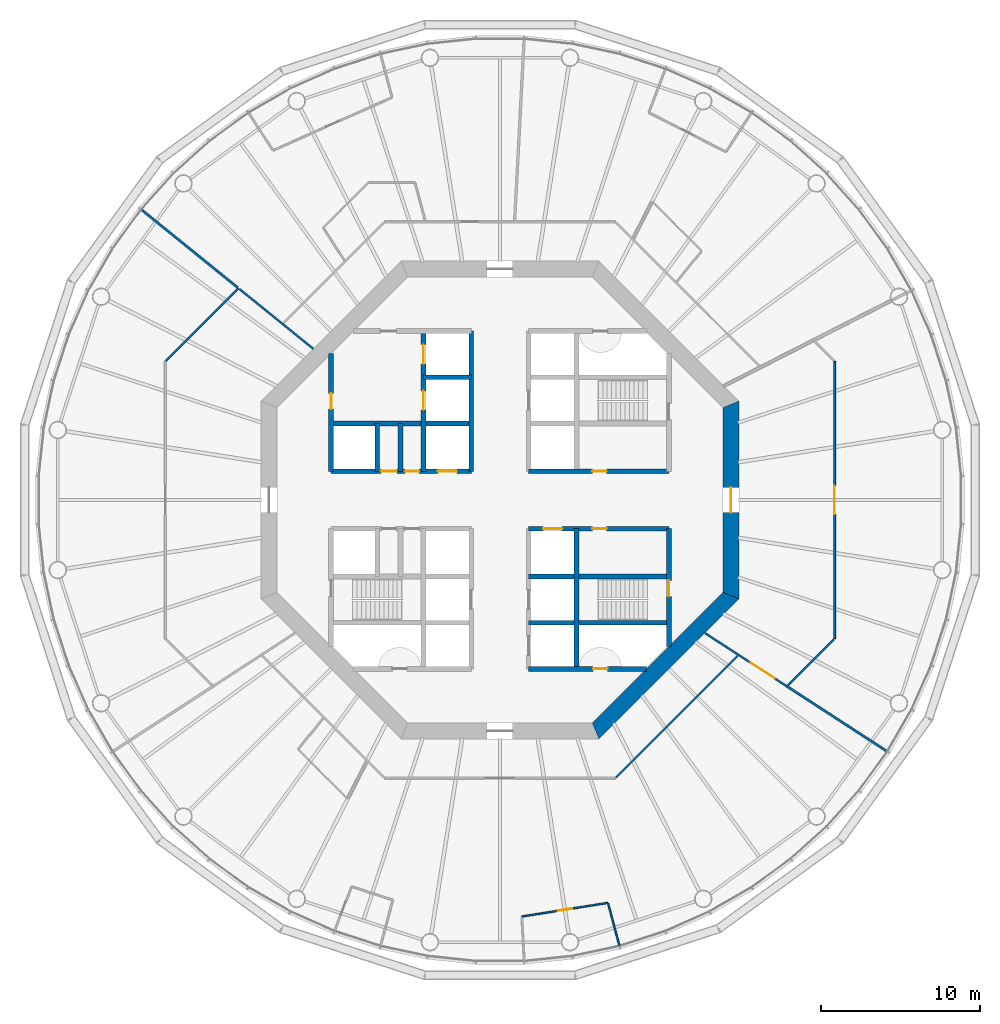
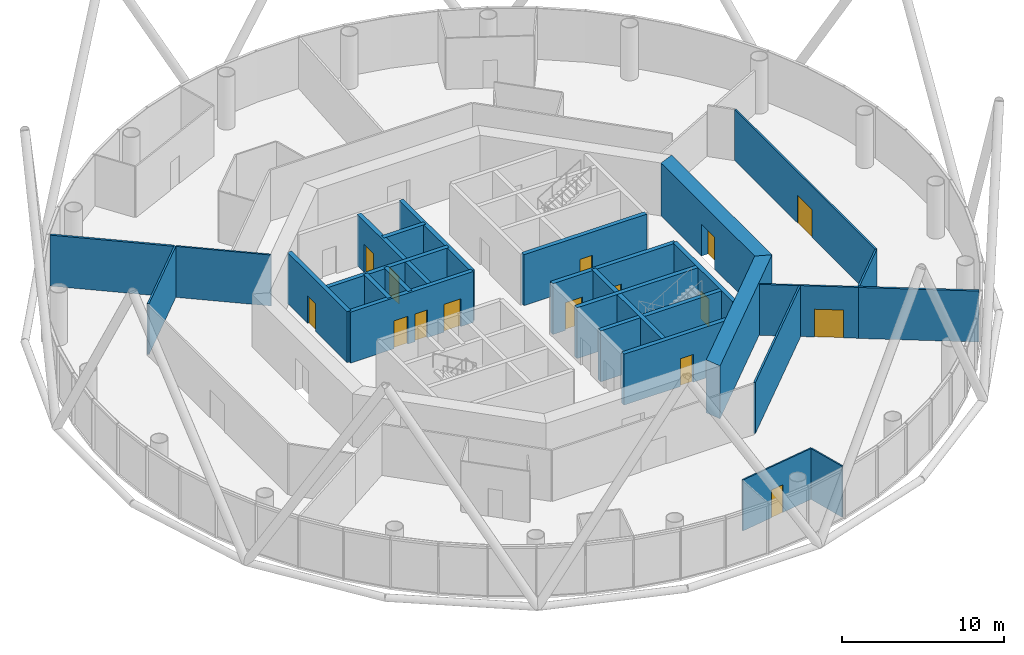
# One storey, part 4 of 13: 27 walls, 15 doors, 15 openings.
"""IFC4 building model written with IfcOpenShell, lengths in metres."""

from ifc_helpers import new_model, si_unit, direction, frame, frame_2d, origin, place, context, subcontext, project, spatial, polyline, rectangle, outline, extrude, material, layer, layer_set, type_object, element, fill, save


model = new_model("IFC4")

# Units and contexts
model_context = context("Model", 3, precision=1e-05, world=origin(), true_north=direction((0.0, 1.0)))
body_context = subcontext(model_context, "Body", "Model", "MODEL_VIEW")
ifc_project = project(units=[si_unit("LENGTHUNIT", "METRE"), si_unit("AREAUNIT", "SQUARE_METRE"), si_unit("VOLUMEUNIT", "CUBIC_METRE"), si_unit("PLANEANGLEUNIT", "RADIAN"), si_unit("MASSUNIT", "GRAM", prefix="KILO")], contexts=[model_context])

# Site, building, storey
site_placement = place(None, origin())
site = spatial("IfcSite", under=ifc_project, at=site_placement, CompositionType="ELEMENT")
building_placement = place(site_placement, origin())
building = spatial("IfcBuilding", under=site, at=building_placement, Name="Entoto Ring Tower", CompositionType="ELEMENT")
storey_placement = place(building_placement, frame((0.0, 0.0, 164.0)))
storey = spatial("IfcBuildingStorey", under=building, at=storey_placement, Name="L37", CompositionType="ELEMENT", Elevation=164.0)

# Wall, opening, door
ifc_material_1 = material(Name="Concrete C40/50", Category="concrete")
ifc_layer_1 = layer(ifc_material_1, 0.300048828125)
ifc_layer_set_1 = layer_set([ifc_layer_1], Name="Concrete C40/50")
wall_type_1 = type_object("IfcWallType", Name="Core enclosure wall 300 mm reinforced concrete", PredefinedType="SOLIDWALL", material=ifc_layer_set_1)
wall_1_placement = place(storey_placement, frame((100.60009765625, 70.801025390625, 0.0), z_axis=(0.0, 0.0, 1.0), x_axis=(0.0, 1.0, 0.0)))
wall_1 = element("IfcWall", 1, at=wall_1_placement, inside=storey, type_object=wall_type_1, Name="wall-L37-001", PredefinedType="SOLIDWALL", context=body_context, shape_type="SweptSolid", body=[
    extrude(rectangle(XDim=7.39892578125, YDim=0.300048828125, at=frame_2d((3.699462890625, 0.0))), origin(), (0.0, 0.0, 1.0), 3.85009765625),
])
opening_1_placement = place(wall_1_placement, frame((3.14892578125, 0.0, 0.0)))
opening_1 = element("IfcOpeningElement", 2, at=opening_1_placement, cuts=wall_1, Name="Opening K-61", PredefinedType="OPENING", context=body_context, shape_type="SweptSolid", body=[
    extrude(rectangle(XDim=1.0, YDim=2.10009765625, at=frame_2d((0.5, 1.050048828125))), frame((0.0, 0.16015625, 0.0), z_axis=(0.0, -1.0, 0.0), x_axis=(1.0, 0.0, 0.0)), (0.0, 0.0, 1.0), 0.320068359375),
])
ifc_material_2 = material(Name="Steel door leaf, fire rated", Category="steel")
ifc_layer_2 = layer(ifc_material_2, 0.050048828125)
ifc_layer_set_2 = layer_set([ifc_layer_2], Name="Steel door leaf, fire rated")
door_type_1 = type_object("IfcDoorType", Name="Fire door FD60 1000 x 2100 single leaf", OperationType="NOTDEFINED", PredefinedType="DOOR", material=ifc_layer_set_2)
door_1_placement = place(opening_1_placement, origin())
door_1 = element("IfcDoor", 3, at=door_1_placement, inside=storey, type_object=door_type_1, Name="Door K-61", OperationType="SINGLE_SWING_RIGHT", OverallHeight=2.10009765625, OverallWidth=1.0, PredefinedType="DOOR", context=body_context, shape_type="SweptSolid", body=[
    extrude(rectangle(XDim=1.0, YDim=2.10009765625, at=frame_2d((0.5, 1.050048828125))), frame((0.0, 0.02490234375, 0.0), z_axis=(0.0, -1.0, 0.0), x_axis=(1.0, 0.0, 0.0)), (0.0, 0.0, 1.0), 0.050048828125),
])
fill(opening_1, door_1)

# Walls
for number, where, z_axis, x_axis, name in (
    (4, (94.800048828125, 69.39990234375, 0.0), (0.0, 0.0, 1.0), (0.0, 1.0, 0.0), "wall-L37-003"),
    (5, (88.199951171875, 81.800048828125, 0.0), (0.0, 0.0, 1.0), (0.0, 1.0, 0.0), "wall-L37-008"),
):
    element("IfcWall", number, at=place(storey_placement, frame(where, z_axis=z_axis, x_axis=x_axis)), inside=storey, type_object=wall_type_1, Name=name, PredefinedType="SOLIDWALL", context=body_context, shape_type="SweptSolid", body=[
        extrude(rectangle(XDim=8.800048828125, YDim=0.300048828125, at=frame_2d((4.39990234375, 0.0))), origin(), (0.0, 0.0, 1.0), 3.85009765625),
    ])

# Wall, openings, doors
wall_2_placement = place(storey_placement, frame((85.199951171875, 81.800048828125, 0.0), z_axis=(0.0, 0.0, 1.0), x_axis=(0.0, 1.0, 0.0)))
wall_2 = element("IfcWall", 6, at=wall_2_placement, inside=storey, type_object=wall_type_1, Name="wall-L37-010", PredefinedType="SOLIDWALL", context=body_context, shape_type="SweptSolid", body=[
    extrude(rectangle(XDim=8.800048828125, YDim=0.300048828125, at=frame_2d((4.39990234375, 0.0))), origin(), (0.0, 0.0, 1.0), 3.85009765625),
])
opening_2_placement = place(wall_2_placement, frame((3.85009765625, 0.0, 0.0)))
opening_2 = element("IfcOpeningElement", 7, at=opening_2_placement, cuts=wall_2, Name="Opening LD", PredefinedType="OPENING", context=body_context, shape_type="SweptSolid", body=[
    extrude(rectangle(XDim=1.199951171875, YDim=2.10009765625, at=frame_2d((0.60009765625, 1.050048828125))), frame((0.0, 0.16015625, 0.0), z_axis=(0.0, -1.0, 0.0), x_axis=(1.0, 0.0, 0.0)), (0.0, 0.0, 1.0), 0.320068359375),
])
opening_3_placement = place(wall_2_placement, frame((6.75, 0.0, 0.0)))
opening_3 = element("IfcOpeningElement", 8, at=opening_3_placement, cuts=wall_2, Name="Opening LD", PredefinedType="OPENING", context=body_context, shape_type="SweptSolid", body=[
    extrude(rectangle(XDim=1.199951171875, YDim=2.10009765625, at=frame_2d((0.60009765625, 1.050048828125))), frame((0.0, 0.16015625, 0.0), z_axis=(0.0, -1.0, 0.0), x_axis=(1.0, 0.0, 0.0)), (0.0, 0.0, 1.0), 0.320068359375),
])
ifc_material_3 = material(Name="Steel and glass door leaf", Category="steel")
ifc_layer_3 = layer(ifc_material_3, 0.050048828125)
ifc_layer_set_3 = layer_set([ifc_layer_3], Name="Steel and glass door leaf")
door_type_2 = type_object("IfcDoorType", Name="Landing door 1200 x 2100 sliding", OperationType="DOUBLE_DOOR_SLIDING", PredefinedType="DOOR", material=ifc_layer_set_3)
door_2_placement = place(opening_2_placement, origin())
door_2 = element("IfcDoor", 9, at=door_2_placement, inside=storey, type_object=door_type_2, Name="Landing door FF1", OperationType="SLIDING_TO_RIGHT", OverallHeight=2.10009765625, OverallWidth=1.199951171875, PredefinedType="DOOR", context=body_context, shape_type="SweptSolid", body=[
    extrude(rectangle(XDim=1.199951171875, YDim=2.10009765625, at=frame_2d((0.60009765625, 1.050048828125))), frame((0.0, 0.02490234375, 0.0), z_axis=(0.0, -1.0, 0.0), x_axis=(1.0, 0.0, 0.0)), (0.0, 0.0, 1.0), 0.050048828125),
])
fill(opening_2, door_2)
door_3_placement = place(opening_3_placement, origin())
door_3 = element("IfcDoor", 10, at=door_3_placement, inside=storey, type_object=door_type_2, Name="Landing door FF2", OperationType="SLIDING_TO_RIGHT", OverallHeight=2.10009765625, OverallWidth=1.199951171875, PredefinedType="DOOR", context=body_context, shape_type="SweptSolid", body=[
    extrude(rectangle(XDim=1.199951171875, YDim=2.10009765625, at=frame_2d((0.60009765625, 1.050048828125))), frame((0.0, 0.02490234375, 0.0), z_axis=(0.0, -1.0, 0.0), x_axis=(1.0, 0.0, 0.0)), (0.0, 0.0, 1.0), 0.050048828125),
])
fill(opening_3, door_3)

# Walls
for number, where, z_axis, x_axis, name in (
    (11, (83.75, 81.800048828125, 0.0), (0.0, 0.0, 1.0), (0.0, 1.0, 0.0), "wall-L37-012"),
    (12, (82.300048828125, 81.800048828125, 0.0), (0.0, 0.0, 1.0), (0.0, 1.0, 0.0), "wall-L37-014"),
):
    element("IfcWall", number, at=place(storey_placement, frame(where, z_axis=z_axis, x_axis=x_axis)), inside=storey, type_object=wall_type_1, Name=name, PredefinedType="SOLIDWALL", context=body_context, shape_type="SweptSolid", body=[
        extrude(rectangle(XDim=3.0, YDim=0.300048828125, at=frame_2d((1.5, 0.0))), origin(), (0.0, 0.0, 1.0), 3.85009765625),
    ])

# Wall, opening, door
wall_3_placement = place(storey_placement, frame((79.39990234375, 81.800048828125, 0.0), z_axis=(0.0, 0.0, 1.0), x_axis=(0.0, 1.0, 0.0)))
wall_3 = element("IfcWall", 13, at=wall_3_placement, inside=storey, type_object=wall_type_1, Name="wall-L37-016", PredefinedType="SOLIDWALL", context=body_context, shape_type="SweptSolid", body=[
    extrude(rectangle(XDim=7.39892578125, YDim=0.300048828125, at=frame_2d((3.699462890625, 0.0))), origin(), (0.0, 0.0, 1.0), 3.85009765625),
])
opening_4_placement = place(wall_3_placement, frame((3.89990234375, 0.0, 0.0)))
opening_4 = element("IfcOpeningElement", 14, at=opening_4_placement, cuts=wall_3, Name="Opening K-23", PredefinedType="OPENING", context=body_context, shape_type="SweptSolid", body=[
    extrude(rectangle(XDim=1.0, YDim=2.10009765625, at=frame_2d((0.5, 1.050048828125))), frame((0.0, 0.16015625, 0.0), z_axis=(0.0, -1.0, 0.0), x_axis=(1.0, 0.0, 0.0)), (0.0, 0.0, 1.0), 0.320068359375),
])
door_4_placement = place(opening_4_placement, frame((1.0, 0.0, 0.0), z_axis=(0.0, 0.0, 1.0), x_axis=(-1.0, 0.0, 0.0)))
door_4 = element("IfcDoor", 15, at=door_4_placement, inside=storey, type_object=door_type_1, Name="Door K-23", OperationType="SINGLE_SWING_RIGHT", OverallHeight=2.10009765625, OverallWidth=1.0, PredefinedType="DOOR", context=body_context, shape_type="SweptSolid", body=[
    extrude(rectangle(XDim=1.0, YDim=2.10009765625, at=frame_2d((0.5, 1.050048828125))), frame((0.0, 0.02490234375, 0.0), z_axis=(0.0, -1.0, 0.0), x_axis=(1.0, 0.0, 0.0)), (0.0, 0.0, 1.0), 0.050048828125),
])
fill(opening_4, door_4)

wall_4_placement = place(storey_placement, frame((91.800048828125, 69.39990234375, 0.0), z_axis=(0.0, 0.0, 1.0), x_axis=(1.0, 0.0, 0.0)))
wall_4 = element("IfcWall", 16, at=wall_4_placement, inside=storey, type_object=wall_type_1, Name="wall-L37-018", PredefinedType="SOLIDWALL", context=body_context, shape_type="SweptSolid", body=[
    extrude(rectangle(XDim=7.39892578125, YDim=0.300048828125, at=frame_2d((3.699462890625, 0.0))), origin(), (0.0, 0.0, 1.0), 3.85009765625),
])
opening_5_placement = place(wall_4_placement, frame((4.050048828125, 0.0, 0.0)))
opening_5 = element("IfcOpeningElement", 17, at=opening_5_placement, cuts=wall_4, Name="Opening K-68", PredefinedType="OPENING", context=body_context, shape_type="SweptSolid", body=[
    extrude(rectangle(XDim=0.89990234375, YDim=2.10009765625, at=frame_2d((0.449951171875, 1.050048828125))), frame((0.0, 0.16015625, 0.0), z_axis=(0.0, -1.0, 0.0), x_axis=(1.0, 0.0, 0.0)), (0.0, 0.0, 1.0), 0.320068359375),
])
ifc_material_4 = material(Name="Steel door leaf, fire rated", Category="steel")
ifc_layer_4 = layer(ifc_material_4, 0.050048828125)
ifc_layer_set_4 = layer_set([ifc_layer_4], Name="Steel door leaf, fire rated")
door_type_3 = type_object("IfcDoorType", Name="Riser door FD60 900 x 2100 single leaf", OperationType="NOTDEFINED", PredefinedType="DOOR", material=ifc_layer_set_4)
door_5_placement = place(opening_5_placement, origin())
door_5 = element("IfcDoor", 18, at=door_5_placement, inside=storey, type_object=door_type_3, Name="Door K-68", OperationType="SINGLE_SWING_LEFT", OverallHeight=2.10009765625, OverallWidth=0.89990234375, PredefinedType="DOOR", context=body_context, shape_type="SweptSolid", body=[
    extrude(rectangle(XDim=0.89990234375, YDim=2.10009765625, at=frame_2d((0.449951171875, 1.050048828125))), frame((0.0, 0.02490234375, 0.0), z_axis=(0.0, -1.0, 0.0), x_axis=(1.0, 0.0, 0.0)), (0.0, 0.0, 1.0), 0.050048828125),
])
fill(opening_5, door_5)

# Walls
for number, where, z_axis, x_axis, name in (
    (19, (91.800048828125, 72.300048828125, 0.0), (0.0, 0.0, 1.0), (1.0, 0.0, 0.0), "wall-L37-020"),
    (20, (91.800048828125, 75.199951171875, 0.0), (0.0, 0.0, 1.0), (1.0, 0.0, 0.0), "wall-L37-022"),
):
    element("IfcWall", number, at=place(storey_placement, frame(where, z_axis=z_axis, x_axis=x_axis)), inside=storey, type_object=wall_type_1, Name=name, PredefinedType="SOLIDWALL", context=body_context, shape_type="SweptSolid", body=[
        extrude(rectangle(XDim=8.800048828125, YDim=0.300048828125, at=frame_2d((4.39990234375, 0.0))), origin(), (0.0, 0.0, 1.0), 3.85009765625),
    ])

# Wall, openings, doors
wall_5_placement = place(storey_placement, frame((91.800048828125, 78.199951171875, 0.0), z_axis=(0.0, 0.0, 1.0), x_axis=(1.0, 0.0, 0.0)))
wall_5 = element("IfcWall", 21, at=wall_5_placement, inside=storey, type_object=wall_type_1, Name="wall-L37-024", PredefinedType="SOLIDWALL", context=body_context, shape_type="SweptSolid", body=[
    extrude(rectangle(XDim=8.800048828125, YDim=0.300048828125, at=frame_2d((4.39990234375, 0.0))), origin(), (0.0, 0.0, 1.0), 3.85009765625),
])
opening_6_placement = place(wall_5_placement, frame((0.89990234375, 0.0, 0.0)))
opening_6 = element("IfcOpeningElement", 22, at=opening_6_placement, cuts=wall_5, Name="Opening LD", PredefinedType="OPENING", context=body_context, shape_type="SweptSolid", body=[
    extrude(rectangle(XDim=1.199951171875, YDim=2.10009765625, at=frame_2d((0.60009765625, 1.050048828125))), frame((0.0, 0.16015625, 0.0), z_axis=(0.0, -1.0, 0.0), x_axis=(1.0, 0.0, 0.0)), (0.0, 0.0, 1.0), 0.320068359375),
])
opening_7_placement = place(wall_5_placement, frame((4.0, 0.0, 0.0)))
opening_7 = element("IfcOpeningElement", 23, at=opening_7_placement, cuts=wall_5, Name="Opening K-12", PredefinedType="OPENING", context=body_context, shape_type="SweptSolid", body=[
    extrude(rectangle(XDim=0.89990234375, YDim=2.10009765625, at=frame_2d((0.449951171875, 1.050048828125))), frame((0.0, 0.16015625, 0.0), z_axis=(0.0, -1.0, 0.0), x_axis=(1.0, 0.0, 0.0)), (0.0, 0.0, 1.0), 0.320068359375),
])
ifc_material_5 = material(Name="Steel door leaf, fire rated", Category="steel")
ifc_layer_5 = layer(ifc_material_5, 0.050048828125)
ifc_layer_set_5 = layer_set([ifc_layer_5], Name="Steel door leaf, fire rated")
door_type_4 = type_object("IfcDoorType", Name="Core door 900 x 2100 single leaf", OperationType="NOTDEFINED", PredefinedType="DOOR", material=ifc_layer_set_5)
door_6_placement = place(opening_7_placement, frame((0.89990234375, 0.0, 0.0), z_axis=(0.0, 0.0, 1.0), x_axis=(-1.0, 0.0, 0.0)))
door_6 = element("IfcDoor", 24, at=door_6_placement, inside=storey, type_object=door_type_4, Name="Door K-12", OperationType="SINGLE_SWING_RIGHT", OverallHeight=2.10009765625, OverallWidth=0.89990234375, PredefinedType="DOOR", context=body_context, shape_type="SweptSolid", body=[
    extrude(rectangle(XDim=0.89990234375, YDim=2.10009765625, at=frame_2d((0.449951171875, 1.050048828125))), frame((0.0, 0.02490234375, 0.0), z_axis=(0.0, -1.0, 0.0), x_axis=(1.0, 0.0, 0.0)), (0.0, 0.0, 1.0), 0.050048828125),
])
fill(opening_7, door_6)
door_7_placement = place(opening_6_placement, origin())
door_7 = element("IfcDoor", 25, at=door_7_placement, inside=storey, type_object=door_type_2, Name="Landing door LB6-MR", OperationType="SLIDING_TO_LEFT", OverallHeight=2.10009765625, OverallWidth=1.199951171875, PredefinedType="DOOR", context=body_context, shape_type="SweptSolid", body=[
    extrude(rectangle(XDim=1.199951171875, YDim=2.10009765625, at=frame_2d((0.60009765625, 1.050048828125))), frame((0.0, 0.02490234375, 0.0), z_axis=(0.0, -1.0, 0.0), x_axis=(1.0, 0.0, 0.0)), (0.0, 0.0, 1.0), 0.050048828125),
])
fill(opening_6, door_7)

wall_6_placement = place(storey_placement, frame((79.39990234375, 81.800048828125, 0.0), z_axis=(0.0, 0.0, 1.0), x_axis=(1.0, 0.0, 0.0)))
wall_6 = element("IfcWall", 26, at=wall_6_placement, inside=storey, type_object=wall_type_1, Name="wall-L37-025", PredefinedType="SOLIDWALL", context=body_context, shape_type="SweptSolid", body=[
    extrude(rectangle(XDim=8.800048828125, YDim=0.300048828125, at=frame_2d((4.39990234375, 0.0))), origin(), (0.0, 0.0, 1.0), 3.85009765625),
])
opening_8_placement = place(wall_6_placement, frame((6.699951171875, 0.0, 0.0)))
opening_8 = element("IfcOpeningElement", 27, at=opening_8_placement, cuts=wall_6, Name="Opening LD", PredefinedType="OPENING", context=body_context, shape_type="SweptSolid", body=[
    extrude(rectangle(XDim=1.199951171875, YDim=2.10009765625, at=frame_2d((0.60009765625, 1.050048828125))), frame((0.0, 0.16015625, 0.0), z_axis=(0.0, -1.0, 0.0), x_axis=(1.0, 0.0, 0.0)), (0.0, 0.0, 1.0), 0.320068359375),
])
opening_9_placement = place(wall_6_placement, frame((3.125, 0.0, 0.0)))
opening_9 = element("IfcOpeningElement", 28, at=opening_9_placement, cuts=wall_6, Name="Opening K-13", PredefinedType="OPENING", context=body_context, shape_type="SweptSolid", body=[
    extrude(rectangle(XDim=1.0, YDim=2.10009765625, at=frame_2d((0.5, 1.050048828125))), frame((0.0, 0.16015625, 0.0), z_axis=(0.0, -1.0, 0.0), x_axis=(1.0, 0.0, 0.0)), (0.0, 0.0, 1.0), 0.320068359375),
])
opening_10_placement = place(wall_6_placement, frame((4.625, 0.0, 0.0)))
opening_10 = element("IfcOpeningElement", 29, at=opening_10_placement, cuts=wall_6, Name="Opening K-14", PredefinedType="OPENING", context=body_context, shape_type="SweptSolid", body=[
    extrude(rectangle(XDim=0.89990234375, YDim=2.10009765625, at=frame_2d((0.449951171875, 1.050048828125))), frame((0.0, 0.16015625, 0.0), z_axis=(0.0, -1.0, 0.0), x_axis=(1.0, 0.0, 0.0)), (0.0, 0.0, 1.0), 0.320068359375),
])
ifc_material_6 = material(Name="Steel door leaf, fire rated", Category="steel")
ifc_layer_6 = layer(ifc_material_6, 0.050048828125)
ifc_layer_set_6 = layer_set([ifc_layer_6], Name="Steel door leaf, fire rated")
door_type_5 = type_object("IfcDoorType", Name="Accessible door 1000 x 2100 single leaf", OperationType="NOTDEFINED", PredefinedType="DOOR", material=ifc_layer_set_6)
door_8_placement = place(opening_9_placement, origin())
door_8 = element("IfcDoor", 30, at=door_8_placement, inside=storey, type_object=door_type_5, Name="Door K-13", OperationType="SINGLE_SWING_RIGHT", OverallHeight=2.10009765625, OverallWidth=1.0, PredefinedType="DOOR", context=body_context, shape_type="SweptSolid", body=[
    extrude(rectangle(XDim=1.0, YDim=2.10009765625, at=frame_2d((0.5, 1.050048828125))), frame((0.0, 0.02490234375, 0.0), z_axis=(0.0, -1.0, 0.0), x_axis=(1.0, 0.0, 0.0)), (0.0, 0.0, 1.0), 0.050048828125),
])
fill(opening_9, door_8)
door_9_placement = place(opening_10_placement, origin())
door_9 = element("IfcDoor", 31, at=door_9_placement, inside=storey, type_object=door_type_4, Name="Door K-14", OperationType="SINGLE_SWING_RIGHT", OverallHeight=2.10009765625, OverallWidth=0.89990234375, PredefinedType="DOOR", context=body_context, shape_type="SweptSolid", body=[
    extrude(rectangle(XDim=0.89990234375, YDim=2.10009765625, at=frame_2d((0.449951171875, 1.050048828125))), frame((0.0, 0.02490234375, 0.0), z_axis=(0.0, -1.0, 0.0), x_axis=(1.0, 0.0, 0.0)), (0.0, 0.0, 1.0), 0.050048828125),
])
fill(opening_10, door_9)
door_10_placement = place(opening_8_placement, origin())
door_10 = element("IfcDoor", 32, at=door_10_placement, inside=storey, type_object=door_type_2, Name="Landing door LB5-MR", OperationType="SLIDING_TO_LEFT", OverallHeight=2.10009765625, OverallWidth=1.199951171875, PredefinedType="DOOR", context=body_context, shape_type="SweptSolid", body=[
    extrude(rectangle(XDim=1.199951171875, YDim=2.10009765625, at=frame_2d((0.60009765625, 1.050048828125))), frame((0.0, 0.02490234375, 0.0), z_axis=(0.0, -1.0, 0.0), x_axis=(1.0, 0.0, 0.0)), (0.0, 0.0, 1.0), 0.050048828125),
])
fill(opening_8, door_10)

# Wall, opening, door
wall_7_placement = place(storey_placement, frame((91.800048828125, 81.800048828125, 0.0), z_axis=(0.0, 0.0, 1.0), x_axis=(1.0, 0.0, 0.0)))
wall_7 = element("IfcWall", 33, at=wall_7_placement, inside=storey, type_object=wall_type_1, Name="wall-L37-026", PredefinedType="SOLIDWALL", context=body_context, shape_type="SweptSolid", body=[
    extrude(rectangle(XDim=8.800048828125, YDim=0.300048828125, at=frame_2d((4.39990234375, 0.0))), origin(), (0.0, 0.0, 1.0), 3.85009765625),
])
opening_11_placement = place(wall_7_placement, frame((4.0, 0.0, 0.0)))
opening_11 = element("IfcOpeningElement", 34, at=opening_11_placement, cuts=wall_7, Name="Opening K-11", PredefinedType="OPENING", context=body_context, shape_type="SweptSolid", body=[
    extrude(rectangle(XDim=0.89990234375, YDim=2.10009765625, at=frame_2d((0.449951171875, 1.050048828125))), frame((0.0, 0.16015625, 0.0), z_axis=(0.0, -1.0, 0.0), x_axis=(1.0, 0.0, 0.0)), (0.0, 0.0, 1.0), 0.320068359375),
])
door_11_placement = place(opening_11_placement, origin())
door_11 = element("IfcDoor", 35, at=door_11_placement, inside=storey, type_object=door_type_4, Name="Door K-11", OperationType="SINGLE_SWING_LEFT", OverallHeight=2.10009765625, OverallWidth=0.89990234375, PredefinedType="DOOR", context=body_context, shape_type="SweptSolid", body=[
    extrude(rectangle(XDim=0.89990234375, YDim=2.10009765625, at=frame_2d((0.449951171875, 1.050048828125))), frame((0.0, 0.02490234375, 0.0), z_axis=(0.0, -1.0, 0.0), x_axis=(1.0, 0.0, 0.0)), (0.0, 0.0, 1.0), 0.050048828125),
])
fill(opening_11, door_11)

# Walls
wall_8_placement = place(storey_placement, frame((79.39990234375, 84.800048828125, 0.0), z_axis=(0.0, 0.0, 1.0), x_axis=(1.0, 0.0, 0.0)))
element("IfcWall", 36, at=wall_8_placement, inside=storey, type_object=wall_type_1, Name="wall-L37-027", PredefinedType="SOLIDWALL", context=body_context, shape_type="SweptSolid", body=[
    extrude(rectangle(XDim=8.800048828125, YDim=0.300048828125, at=frame_2d((4.39990234375, 0.0))), origin(), (0.0, 0.0, 1.0), 3.85009765625),
])
wall_9_placement = place(storey_placement, frame((85.199951171875, 87.699951171875, 0.0), z_axis=(0.0, 0.0, 1.0), x_axis=(1.0, 0.0, 0.0)))
element("IfcWall", 37, at=wall_9_placement, inside=storey, type_object=wall_type_1, Name="wall-L37-029", PredefinedType="SOLIDWALL", context=body_context, shape_type="SweptSolid", body=[
    extrude(rectangle(XDim=3.0, YDim=0.300048828125, at=frame_2d((1.5, 0.0))), origin(), (0.0, 0.0, 1.0), 3.85009765625),
])

# Wall, opening, door
ifc_material_7 = material(Name="Concrete C50/60", Category="concrete")
ifc_layer_7 = layer(ifc_material_7, 1.0)
ifc_layer_set_7 = layer_set([ifc_layer_7], Name="Concrete C50/60")
wall_type_2 = type_object("IfcWallType", Name="Core shear wall 1000 mm reinforced concrete C50/60", PredefinedType="SHEAR", material=ifc_layer_set_7)
wall_10_placement = place(storey_placement, frame((104.5, 73.993896484375, 0.0), z_axis=(0.0, 0.0, 1.0), x_axis=(0.0, 1.0, 0.0)))
wall_10 = element("IfcWall", 38, at=wall_10_placement, inside=storey, type_object=wall_type_2, Name="wall-L37-core-0", PredefinedType="SHEAR", context=body_context, shape_type="SweptSolid", body=[
    extrude(outline(polyline([(-0.20703125, -0.5), (12.21923828125, -0.5), (11.80517578125, 0.5), (0.20703125, 0.5), (-0.20703125, -0.5)])), origin(), (0.0, 0.0, 1.0), 4.0),
])
opening_12_placement = place(wall_10_placement, frame((5.2060546875, 0.0, 0.0)))
opening_12 = element("IfcOpeningElement", 39, at=opening_12_placement, cuts=wall_10, Name="Opening K-01", PredefinedType="OPENING", context=body_context, shape_type="SweptSolid", body=[
    extrude(rectangle(XDim=1.60009765625, YDim=2.39990234375, at=frame_2d((0.800048828125, 1.199951171875))), frame((0.0, 0.510009765625, 0.0), z_axis=(0.0, -1.0, 0.0), x_axis=(1.0, 0.0, 0.0)), (0.0, 0.0, 1.0), 1.02001953125),
])
ifc_material_8 = material(Name="Steel door leaf, fire rated", Category="steel")
ifc_layer_8 = layer(ifc_material_8, 0.050048828125)
ifc_layer_set_8 = layer_set([ifc_layer_8], Name="Steel door leaf, fire rated")
door_type_6 = type_object("IfcDoorType", Name="Entrance door FD60 1600 x 2400 double leaf", OperationType="DOUBLE_DOOR_SINGLE_SWING", PredefinedType="DOOR", material=ifc_layer_set_8)
door_12_placement = place(opening_12_placement, origin())
door_12 = element("IfcDoor", 40, at=door_12_placement, inside=storey, type_object=door_type_6, Name="Entrance door K-01", OperationType="DOUBLE_DOOR_SINGLE_SWING", OverallHeight=2.39990234375, OverallWidth=1.60009765625, PredefinedType="DOOR", context=body_context, shape_type="SweptSolid", body=[
    extrude(rectangle(XDim=1.60009765625, YDim=2.39990234375, at=frame_2d((0.800048828125, 1.199951171875))), frame((0.0, 0.02490234375, 0.0), z_axis=(0.0, -1.0, 0.0), x_axis=(1.0, 0.0, 0.0)), (0.0, 0.0, 1.0), 0.050048828125),
])
fill(opening_12, door_12)

# Wall
wall_11_placement = place(storey_placement, frame((96.006103515625, 65.5, 0.0), z_axis=(0.0, 0.0, 1.0), x_axis=(0.707106781187, 0.707106781187, 0.0)))
element("IfcWall", 41, at=wall_11_placement, inside=storey, type_object=wall_type_2, Name="wall-L37-core-7", PredefinedType="SHEAR", context=body_context, shape_type="SweptSolid", body=[
    extrude(outline(polyline([(-0.20703125, -0.5), (12.21923828125, -0.5), (11.80517578125, 0.5), (0.20703125, 0.5), (-0.20703125, -0.5)])), origin(), (0.0, 0.0, 1.0), 4.0),
])

# Wall, opening, door
ifc_material_9 = material(Name="Fire-resisting plasterboard on steel studs", Category="steel")
ifc_layer_9 = layer(ifc_material_9, 0.125)
ifc_layer_set_9 = layer_set([ifc_layer_9], Name="Fire-resisting plasterboard on steel studs")
wall_type_3 = type_object("IfcWallType", Name="Corridor wall 125 mm one-hour plasterboard on steel studs", PredefinedType="PARTITIONING", material=ifc_layer_set_9)
wall_12_placement = place(storey_placement, frame((111.0, 71.301513671875, 0.0), z_axis=(0.0, 0.0, 1.0), x_axis=(0.0, 1.0, 0.0)))
wall_12 = element("IfcWall", 42, at=wall_12_placement, inside=storey, type_object=wall_type_3, Name="partition-L37-002", PredefinedType="PARTITIONING", context=body_context, shape_type="SweptSolid", body=[
    extrude(rectangle(XDim=17.39697265625, YDim=0.125, at=frame_2d((8.698486328125, 0.0))), origin(), (0.0, 0.0, 1.0), 3.85009765625),
])
opening_13_placement = place(wall_12_placement, frame((7.798583984375, 0.0, 0.0)))
opening_13 = element("IfcOpeningElement", 43, at=opening_13_placement, cuts=wall_12, Name="Opening A16-D01", PredefinedType="OPENING", context=body_context, shape_type="SweptSolid", body=[
    extrude(rectangle(XDim=1.800048828125, YDim=2.10009765625, at=frame_2d((0.89990234375, 1.050048828125))), frame((0.0, 0.072509765625, 0.0), z_axis=(0.0, -1.0, 0.0), x_axis=(1.0, 0.0, 0.0)), (0.0, 0.0, 1.0), 0.14501953125),
])
ifc_material_10 = material(Name="Fire-resisting timber door set", Category="wood")
door_type_7 = type_object("IfcDoorType", Name="Door 1800 x 2100 double leaf FD30S fire door", OperationType="DOUBLE_DOOR_SINGLE_SWING", PredefinedType="DOOR", material=ifc_material_10)
door_13_placement = place(opening_13_placement, frame((1.800048828125, 0.0, 0.0), z_axis=(0.0, 0.0, 1.0), x_axis=(-1.0, 0.0, 0.0)))
door_13 = element("IfcDoor", 44, at=door_13_placement, inside=storey, type_object=door_type_7, Name="Door A16-D01", OperationType="DOUBLE_DOOR_SINGLE_SWING", OverallHeight=2.10009765625, OverallWidth=1.800048828125, PredefinedType="DOOR", context=body_context, shape_type="SweptSolid", body=[
    extrude(rectangle(XDim=1.800048828125, YDim=2.10009765625, at=frame_2d((0.89990234375, 1.050048828125))), frame((0.0, 0.02490234375, 0.0), z_axis=(0.0, -1.0, 0.0), x_axis=(1.0, 0.0, 0.0)), (0.0, 0.0, 1.0), 0.050048828125),
])
fill(opening_13, door_13)

# Walls
wall_13_placement = place(storey_placement, frame((97.264404296875, 62.568603515625, 0.0), z_axis=(0.0, 0.0, 1.0), x_axis=(0.707095503297, 0.707118058897, 0.0)))
element("IfcWall", 45, at=wall_13_placement, inside=storey, type_object=wall_type_3, Name="partition-L37-007", PredefinedType="PARTITIONING", context=body_context, shape_type="SweptSolid", body=[
    extrude(rectangle(XDim=10.823974609375, YDim=0.125, at=frame_2d((5.412109375, 0.0))), origin(), (0.0, 0.0, 1.0), 3.85009765625),
])
wall_14_placement = place(storey_placement, frame((69.031005859375, 88.7294921875, 0.0), z_axis=(0.0, 0.0, 1.0), x_axis=(0.707106781187, 0.707106781187, 0.0)))
element("IfcWall", 46, at=wall_14_placement, inside=storey, type_object=wall_type_3, Name="partition-L37-009", PredefinedType="PARTITIONING", context=body_context, shape_type="SweptSolid", body=[
    extrude(rectangle(XDim=6.447509765625, YDim=0.125, at=frame_2d((3.2236328125, 0.0))), origin(), (0.0, 0.0, 1.0), 3.85009765625),
])

# Wall, opening, door
wall_15_placement = place(storey_placement, frame((108.005615234375, 68.306884765625, 0.0), z_axis=(0.0, 0.0, 1.0), x_axis=(-0.838658147636, 0.544658160137, 0.0)))
wall_15 = element("IfcWall", 47, at=wall_15_placement, inside=storey, type_object=wall_type_3, Name="partition-L37-012", PredefinedType="PARTITIONING", context=body_context, shape_type="SweptSolid", body=[
    extrude(rectangle(XDim=6.13427734375, YDim=0.125, at=frame_2d((3.067138671875, 0.0))), origin(), (0.0, 0.0, 1.0), 3.85009765625),
])
opening_14_placement = place(wall_15_placement, frame((0.908447265625, 0.0, 0.0)))
opening_14 = element("IfcOpeningElement", 48, at=opening_14_placement, cuts=wall_15, Name="Opening A16-D10", PredefinedType="OPENING", context=body_context, shape_type="SweptSolid", body=[
    extrude(rectangle(XDim=1.800048828125, YDim=2.10009765625, at=frame_2d((0.89990234375, 1.050048828125))), frame((0.0, 0.072509765625, 0.0), z_axis=(0.0, -1.0, 0.0), x_axis=(1.0, 0.0, 0.0)), (0.0, 0.0, 1.0), 0.14501953125),
])
door_14_placement = place(opening_14_placement, frame((1.800048828125, 0.0, 0.0), z_axis=(0.0, 0.0, 1.0), x_axis=(-1.0, 0.0, 0.0)))
door_14 = element("IfcDoor", 49, at=door_14_placement, inside=storey, type_object=door_type_7, Name="Door A16-D10", OperationType="DOUBLE_DOOR_SINGLE_SWING", OverallHeight=2.10009765625, OverallWidth=1.800048828125, PredefinedType="DOOR", context=body_context, shape_type="SweptSolid", body=[
    extrude(rectangle(XDim=1.800048828125, YDim=2.10009765625, at=frame_2d((0.89990234375, 1.050048828125))), frame((0.0, 0.02490234375, 0.0), z_axis=(0.0, -1.0, 0.0), x_axis=(1.0, 0.0, 0.0)), (0.0, 0.0, 1.0), 0.050048828125),
])
fill(opening_14, door_14)

# Walls
wall_16_placement = place(storey_placement, frame((78.278564453125, 89.49169921875, 0.0), z_axis=(0.0, 0.0, 1.0), x_axis=(-0.777137265192, 0.629331129891, 0.0)))
element("IfcWall", 50, at=wall_16_placement, inside=storey, type_object=wall_type_3, Name="partition-L37-013", PredefinedType="PARTITIONING", context=body_context, shape_type="SweptSolid", body=[
    extrude(rectangle(XDim=5.97119140625, YDim=0.125, at=frame_2d((2.985595703125, 0.0))), origin(), (0.0, 0.0, 1.0), 3.85009765625),
])
wall_17_placement = place(storey_placement, frame((108.069091796875, 68.37060546875, 0.0), z_axis=(0.0, 0.0, 1.0), x_axis=(0.707106781187, 0.707106781187, 0.0)))
element("IfcWall", 51, at=wall_17_placement, inside=storey, type_object=wall_type_3, Name="partition-L37-015", PredefinedType="PARTITIONING", context=body_context, shape_type="SweptSolid", body=[
    extrude(rectangle(XDim=4.10107421875, YDim=0.125, at=frame_2d((2.050537109375, 0.0))), origin(), (0.0, 0.0, 1.0), 3.85009765625),
])

# Wall, opening, door
ifc_material_11 = material(Name="Plasterboard on steel studs", Category="steel")
ifc_layer_10 = layer(ifc_material_11, 0.10009765625)
ifc_layer_set_10 = layer_set([ifc_layer_10], Name="Plasterboard on steel studs")
wall_type_4 = type_object("IfcWallType", Name="Partition 100 mm plasterboard on steel studs", PredefinedType="PARTITIONING", material=ifc_layer_set_10)
wall_18_placement = place(storey_placement, frame((91.3701171875, 53.85595703125, 0.0), z_axis=(0.0, 0.0, 1.0), x_axis=(0.987687984114, 0.156436715757, 0.0)))
wall_18 = element("IfcWall", 52, at=wall_18_placement, inside=storey, type_object=wall_type_4, Name="partition-L37-023", PredefinedType="PARTITIONING", context=body_context, shape_type="SweptSolid", body=[
    extrude(rectangle(XDim=5.47314453125, YDim=0.10009765625, at=frame_2d((2.736572265625, 0.0))), origin(), (0.0, 0.0, 1.0), 3.85009765625),
])
opening_15_placement = place(wall_18_placement, frame((2.28662109375, 0.0, 0.0)))
opening_15 = element("IfcOpeningElement", 53, at=opening_15_placement, cuts=wall_18, Name="Opening A16-D13", PredefinedType="OPENING", context=body_context, shape_type="SweptSolid", body=[
    extrude(rectangle(XDim=0.89990234375, YDim=2.10009765625, at=frame_2d((0.449951171875, 1.050048828125))), frame((0.0, 0.06005859375, 0.0), z_axis=(0.0, -1.0, 0.0), x_axis=(1.0, 0.0, 0.0)), (0.0, 0.0, 1.0), 0.1201171875),
])
ifc_material_12 = material(Name="Veneered timber door leaf in timber frame", Category="wood")
door_type_8 = type_object("IfcDoorType", Name="Door 900 x 2100 single leaf timber veneer", OperationType="NOTDEFINED", PredefinedType="DOOR", material=ifc_material_12)
door_15_placement = place(opening_15_placement, frame((0.89990234375, 0.0, 0.0), z_axis=(0.0, 0.0, 1.0), x_axis=(-1.0, 0.0, 0.0)))
door_15 = element("IfcDoor", 54, at=door_15_placement, inside=storey, type_object=door_type_8, Name="Door A16-D13", OperationType="SINGLE_SWING_LEFT", OverallHeight=2.10009765625, OverallWidth=0.89990234375, PredefinedType="DOOR", context=body_context, shape_type="SweptSolid", body=[
    extrude(rectangle(XDim=0.89990234375, YDim=2.10009765625, at=frame_2d((0.449951171875, 1.050048828125))), frame((0.0, 0.02490234375, 0.0), z_axis=(0.0, -1.0, 0.0), x_axis=(1.0, 0.0, 0.0)), (0.0, 0.0, 1.0), 0.050048828125),
])
fill(opening_15, door_15)

# Walls
wall_19_placement = place(storey_placement, frame((97.490234375, 52.046142578125, 0.0), z_axis=(0.0, 0.0, 1.0), x_axis=(-0.258800622967, 0.965930762297, 0.0)))
element("IfcWall", 55, at=wall_19_placement, inside=storey, type_object=wall_type_4, Name="partition-L37-036", PredefinedType="PARTITIONING", context=body_context, shape_type="SweptSolid", body=[
    extrude(rectangle(XDim=2.710205078125, YDim=0.10009765625, at=frame_2d((1.35498046875, 0.0))), origin(), (0.0, 0.0, 1.0), 3.85009765625),
])
ifc_material_13 = material(Name="Fire-resisting acoustic plasterboard on steel studs", Category="steel")
ifc_layer_11 = layer(ifc_material_13, 0.14990234375)
ifc_layer_set_11 = layer_set([ifc_layer_11], Name="Fire-resisting acoustic plasterboard on steel studs")
wall_type_5 = type_object("IfcWallType", Name="Party wall 150 mm one-hour acoustic plasterboard on steel studs", PredefinedType="PARTITIONING", material=ifc_layer_set_11)
wall_20_placement = place(storey_placement, frame((73.53515625, 93.3330078125, 0.0), z_axis=(0.0, 0.0, 1.0), x_axis=(-0.777150269137, 0.629315071471, 0.0)))
element("IfcWall", 56, at=wall_20_placement, inside=storey, type_object=wall_type_5, Name="partition-L37-018", PredefinedType="PARTITIONING", context=body_context, shape_type="SweptSolid", body=[
    extrude(rectangle(XDim=7.75341796875, YDim=0.14990234375, at=frame_2d((3.876708984375, 0.0))), origin(), (0.0, 0.0, 1.0), 3.85009765625),
])
wall_21_placement = place(storey_placement, frame((114.27099609375, 64.238037109375, 0.0), z_axis=(0.0, 0.0, 1.0), x_axis=(-0.838666792269, 0.544644849003, 0.0)))
element("IfcWall", 57, at=wall_21_placement, inside=storey, type_object=wall_type_5, Name="partition-L37-020", PredefinedType="PARTITIONING", context=body_context, shape_type="SweptSolid", body=[
    extrude(rectangle(XDim=7.470703125, YDim=0.14990234375, at=frame_2d((3.7353515625, 0.0))), origin(), (0.0, 0.0, 1.0), 3.85009765625),
])

save(model, "model.ifc")
